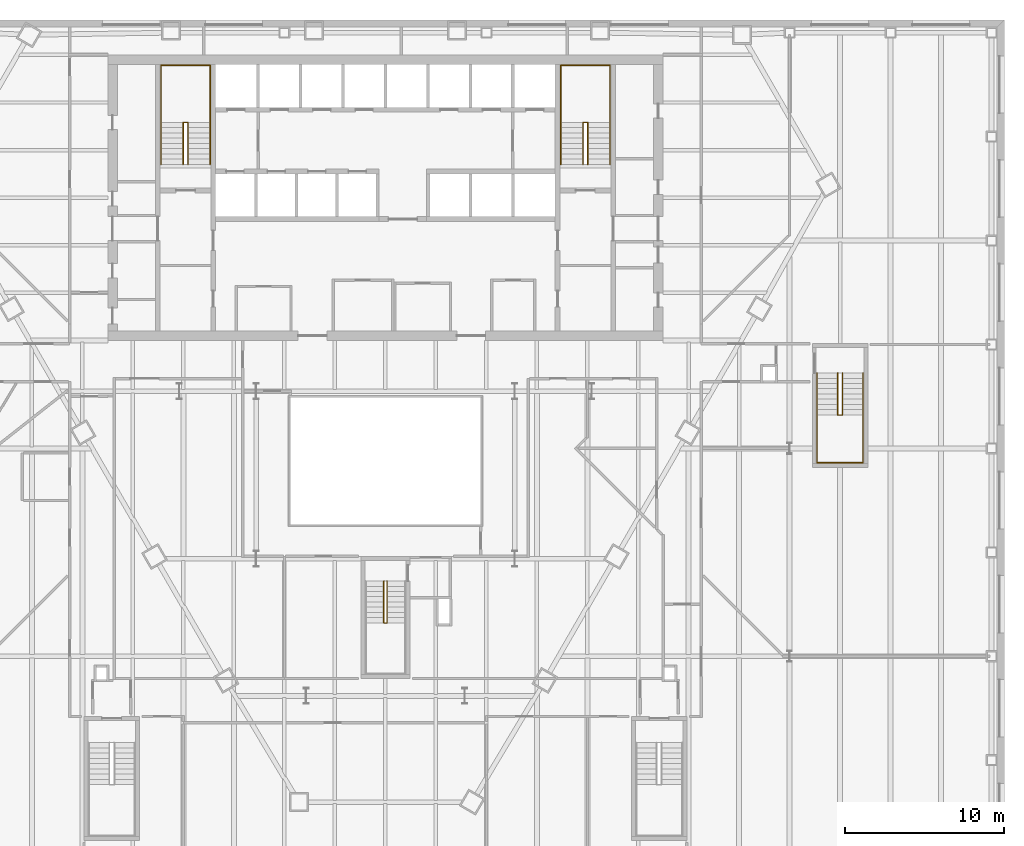
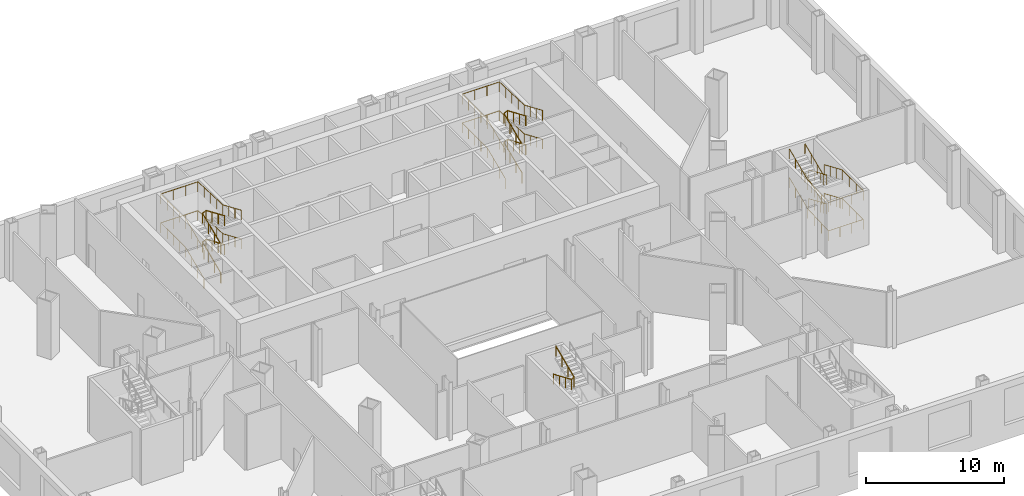
# One storey, part 21 of 21: 13 railings.
"""IFC4 building model written with IfcOpenShell, lengths in metres."""

from ifc_helpers import new_model, si_unit, direction, frame, origin, origin_2d, place, context, subcontext, project, spatial, circle, extrude, material, type_object, element, save


model = new_model("IFC4")

# Units and contexts
model_context = context("Model", 3, precision=1e-05, world=origin(), true_north=direction((0.0, 1.0)))
body_context = subcontext(model_context, "Body", "Model", "MODEL_VIEW")
ifc_project = project(units=[si_unit("LENGTHUNIT", "METRE"), si_unit("AREAUNIT", "SQUARE_METRE"), si_unit("VOLUMEUNIT", "CUBIC_METRE"), si_unit("PLANEANGLEUNIT", "RADIAN"), si_unit("MASSUNIT", "GRAM", prefix="KILO")], contexts=[model_context])

# Site, building, storey
site_placement = place(None, origin())
site = spatial("IfcSite", under=ifc_project, at=site_placement, CompositionType="ELEMENT")
building_placement = place(site_placement, origin())
building = spatial("IfcBuilding", under=site, at=building_placement, Name="Njiva Tower", CompositionType="ELEMENT")
storey_placement = place(building_placement, frame((0.0, 0.0, 13.5)))
storey = spatial("IfcBuildingStorey", under=building, at=storey_placement, Name="L02", CompositionType="ELEMENT", Elevation=13.5)

# Railings
ifc_material = material(Name="Stainless steel", Category="steel")
railing_type = type_object("IfcRailingType", Name="RL1 Stair handrail 900", PredefinedType="HANDRAIL", material=ifc_material)
railing_1_placement = place(storey_placement, frame((-14.15, 11.1, 0.1417)))
element("IfcRailing", 1, at=railing_1_placement, inside=storey, type_object=railing_type, Name="Stair A handrail", PredefinedType="HANDRAIL", context=body_context, shape_type="SweptSolid", body=[
    extrude(circle(Radius=0.024, at=origin_2d()), frame((0.0, 0.0, 0.876), z_axis=(0.0, 0.918909016762, 0.394469541173), x_axis=(-1.0, 0.0, 0.0)), (0.0, 0.0, 1.0), 2.873),
    extrude(circle(Radius=0.024, at=origin_2d()), frame((0.0, 2.64, 2.0093), z_axis=(0.0, 1.0, 0.0), x_axis=(-1.0, 0.0, 0.0)), (0.0, 0.0, 1.0), 3.61),
    extrude(circle(Radius=0.024, at=origin_2d()), frame((0.0, 6.25, 2.0093), z_axis=(1.0, 0.0, 0.0), x_axis=(0.0, 1.0, 0.0)), (0.0, 0.0, 1.0), 3.1),
    extrude(circle(Radius=0.024, at=origin_2d()), frame((3.1, 6.25, 2.0093), z_axis=(0.0, -0.99923052625, 0.039221874119), x_axis=(1.0, 0.0, 0.0)), (0.0, 0.0, 1.0), 3.6128),
    extrude(circle(Radius=0.024, at=origin_2d()), frame((3.1, 2.64, 2.151), z_axis=(0.0, -0.918909016762, 0.394469541173), x_axis=(1.0, 0.0, 0.0)), (0.0, 0.0, 1.0), 2.873),
    extrude(circle(Radius=0.021, at=origin_2d()), origin(), (0.0, 0.0, 1.0), 0.852),
    extrude(circle(Radius=0.021, at=origin_2d()), frame((0.0, 0.88, 0.3778)), (0.0, 0.0, 1.0), 0.852),
    extrude(circle(Radius=0.021, at=origin_2d()), frame((0.0, 1.76, 0.7555)), (0.0, 0.0, 1.0), 0.852),
    extrude(circle(Radius=0.021, at=origin_2d()), frame((0.0, 2.64, 1.1333)), (0.0, 0.0, 1.0), 0.852),
    extrude(circle(Radius=0.021, at=origin_2d()), frame((0.0, 3.5425, 1.1333)), (0.0, 0.0, 1.0), 0.852),
    extrude(circle(Radius=0.021, at=origin_2d()), frame((0.0, 4.445, 1.1333)), (0.0, 0.0, 1.0), 0.852),
    extrude(circle(Radius=0.021, at=origin_2d()), frame((0.0, 5.3475, 1.1333)), (0.0, 0.0, 1.0), 0.852),
    extrude(circle(Radius=0.021, at=origin_2d()), frame((0.0, 6.25, 1.1333)), (0.0, 0.0, 1.0), 0.852),
    extrude(circle(Radius=0.021, at=origin_2d()), frame((1.0333, 6.25, 1.1333)), (0.0, 0.0, 1.0), 0.852),
    extrude(circle(Radius=0.021, at=origin_2d()), frame((2.0667, 6.25, 1.1333)), (0.0, 0.0, 1.0), 0.852),
    extrude(circle(Radius=0.021, at=origin_2d()), frame((3.1, 6.25, 1.1333)), (0.0, 0.0, 1.0), 0.852),
    extrude(circle(Radius=0.021, at=origin_2d()), frame((3.1, 5.3475, 1.1687)), (0.0, 0.0, 1.0), 0.852),
    extrude(circle(Radius=0.021, at=origin_2d()), frame((3.1, 4.445, 1.2042)), (0.0, 0.0, 1.0), 0.852),
    extrude(circle(Radius=0.021, at=origin_2d()), frame((3.1, 3.5425, 1.2396)), (0.0, 0.0, 1.0), 0.852),
    extrude(circle(Radius=0.021, at=origin_2d()), frame((3.1, 2.64, 1.275)), (0.0, 0.0, 1.0), 0.852),
    extrude(circle(Radius=0.021, at=origin_2d()), frame((3.1, 1.76, 1.6528)), (0.0, 0.0, 1.0), 0.852),
    extrude(circle(Radius=0.021, at=origin_2d()), frame((3.1, 0.88, 2.0305)), (0.0, 0.0, 1.0), 0.852),
    extrude(circle(Radius=0.021, at=origin_2d()), frame((3.1, 0.0, 2.4083)), (0.0, 0.0, 1.0), 0.852),
])
railing_2_placement = place(storey_placement, frame((-12.75, 11.1, 0.1417)))
element("IfcRailing", 2, at=railing_2_placement, inside=storey, type_object=railing_type, Name="Stair A handrail", PredefinedType="HANDRAIL", context=body_context, shape_type="SweptSolid", body=[
    extrude(circle(Radius=0.024, at=origin_2d()), frame((0.0, 0.0, 0.876), z_axis=(0.0, 0.918909016762, 0.394469541173), x_axis=(-1.0, 0.0, 0.0)), (0.0, 0.0, 1.0), 2.873),
    extrude(circle(Radius=0.024, at=origin_2d()), frame((0.0, 2.64, 2.0093), z_axis=(0.904209850415, 0.0, 0.427088452679), x_axis=(0.0, 1.0, 0.0)), (0.0, 0.0, 1.0), 0.3318),
    extrude(circle(Radius=0.024, at=origin_2d()), frame((0.3, 2.64, 2.151), z_axis=(0.0, -0.918909016762, 0.394469541173), x_axis=(1.0, 0.0, 0.0)), (0.0, 0.0, 1.0), 2.873),
    extrude(circle(Radius=0.021, at=origin_2d()), origin(), (0.0, 0.0, 1.0), 0.852),
    extrude(circle(Radius=0.021, at=origin_2d()), frame((0.0, 0.88, 0.3778)), (0.0, 0.0, 1.0), 0.852),
    extrude(circle(Radius=0.021, at=origin_2d()), frame((0.0, 1.76, 0.7555)), (0.0, 0.0, 1.0), 0.852),
    extrude(circle(Radius=0.021, at=origin_2d()), frame((0.0, 2.64, 1.1333)), (0.0, 0.0, 1.0), 0.852),
    extrude(circle(Radius=0.021, at=origin_2d()), frame((0.3, 2.64, 1.275)), (0.0, 0.0, 1.0), 0.852),
    extrude(circle(Radius=0.021, at=origin_2d()), frame((0.3, 1.76, 1.6528)), (0.0, 0.0, 1.0), 0.852),
    extrude(circle(Radius=0.021, at=origin_2d()), frame((0.3, 0.88, 2.0305)), (0.0, 0.0, 1.0), 0.852),
    extrude(circle(Radius=0.021, at=origin_2d()), frame((0.3, 0.0, 2.4083)), (0.0, 0.0, 1.0), 0.852),
])
railing_3_placement = place(storey_placement, frame((-14.15, 11.1, 2.6917)))
element("IfcRailing", 3, at=railing_3_placement, inside=storey, type_object=railing_type, Name="Stair A handrail", PredefinedType="HANDRAIL", context=body_context, shape_type="SweptSolid", body=[
    extrude(circle(Radius=0.024, at=origin_2d()), frame((0.0, 0.0, 0.876), z_axis=(0.0, 0.918909016762, 0.394469541173), x_axis=(-1.0, 0.0, 0.0)), (0.0, 0.0, 1.0), 2.873),
    extrude(circle(Radius=0.024, at=origin_2d()), frame((0.0, 2.64, 2.0093), z_axis=(0.0, 1.0, 0.0), x_axis=(-1.0, 0.0, 0.0)), (0.0, 0.0, 1.0), 3.61),
    extrude(circle(Radius=0.024, at=origin_2d()), frame((0.0, 6.25, 2.0093), z_axis=(1.0, 0.0, 0.0), x_axis=(0.0, 1.0, 0.0)), (0.0, 0.0, 1.0), 3.1),
    extrude(circle(Radius=0.024, at=origin_2d()), frame((3.1, 6.25, 2.0093), z_axis=(0.0, -0.99923052625, 0.039221874119), x_axis=(1.0, 0.0, 0.0)), (0.0, 0.0, 1.0), 3.6128),
    extrude(circle(Radius=0.024, at=origin_2d()), frame((3.1, 2.64, 2.151), z_axis=(0.0, -0.918909016762, 0.394469541173), x_axis=(1.0, 0.0, 0.0)), (0.0, 0.0, 1.0), 2.873),
    extrude(circle(Radius=0.021, at=origin_2d()), origin(), (0.0, 0.0, 1.0), 0.852),
    extrude(circle(Radius=0.021, at=origin_2d()), frame((0.0, 0.88, 0.3778)), (0.0, 0.0, 1.0), 0.852),
    extrude(circle(Radius=0.021, at=origin_2d()), frame((0.0, 1.76, 0.7555)), (0.0, 0.0, 1.0), 0.852),
    extrude(circle(Radius=0.021, at=origin_2d()), frame((0.0, 2.64, 1.1333)), (0.0, 0.0, 1.0), 0.852),
    extrude(circle(Radius=0.021, at=origin_2d()), frame((0.0, 3.5425, 1.1333)), (0.0, 0.0, 1.0), 0.852),
    extrude(circle(Radius=0.021, at=origin_2d()), frame((0.0, 4.445, 1.1333)), (0.0, 0.0, 1.0), 0.852),
    extrude(circle(Radius=0.021, at=origin_2d()), frame((0.0, 5.3475, 1.1333)), (0.0, 0.0, 1.0), 0.852),
    extrude(circle(Radius=0.021, at=origin_2d()), frame((0.0, 6.25, 1.1333)), (0.0, 0.0, 1.0), 0.852),
    extrude(circle(Radius=0.021, at=origin_2d()), frame((1.0333, 6.25, 1.1333)), (0.0, 0.0, 1.0), 0.852),
    extrude(circle(Radius=0.021, at=origin_2d()), frame((2.0667, 6.25, 1.1333)), (0.0, 0.0, 1.0), 0.852),
    extrude(circle(Radius=0.021, at=origin_2d()), frame((3.1, 6.25, 1.1333)), (0.0, 0.0, 1.0), 0.852),
    extrude(circle(Radius=0.021, at=origin_2d()), frame((3.1, 5.3475, 1.1687)), (0.0, 0.0, 1.0), 0.852),
    extrude(circle(Radius=0.021, at=origin_2d()), frame((3.1, 4.445, 1.2041)), (0.0, 0.0, 1.0), 0.852),
    extrude(circle(Radius=0.021, at=origin_2d()), frame((3.1, 3.5425, 1.2396)), (0.0, 0.0, 1.0), 0.852),
    extrude(circle(Radius=0.021, at=origin_2d()), frame((3.1, 2.64, 1.275)), (0.0, 0.0, 1.0), 0.852),
    extrude(circle(Radius=0.021, at=origin_2d()), frame((3.1, 1.76, 1.6528)), (0.0, 0.0, 1.0), 0.852),
    extrude(circle(Radius=0.021, at=origin_2d()), frame((3.1, 0.88, 2.0305)), (0.0, 0.0, 1.0), 0.852),
    extrude(circle(Radius=0.021, at=origin_2d()), frame((3.1, 0.0, 2.4083)), (0.0, 0.0, 1.0), 0.852),
])
railing_4_placement = place(storey_placement, frame((-12.75, 11.1, 2.6917)))
element("IfcRailing", 4, at=railing_4_placement, inside=storey, type_object=railing_type, Name="Stair A handrail", PredefinedType="HANDRAIL", context=body_context, shape_type="SweptSolid", body=[
    extrude(circle(Radius=0.024, at=origin_2d()), frame((0.0, 0.0, 0.876), z_axis=(0.0, 0.918909016762, 0.394469541173), x_axis=(-1.0, 0.0, 0.0)), (0.0, 0.0, 1.0), 2.873),
    extrude(circle(Radius=0.024, at=origin_2d()), frame((0.0, 2.64, 2.0093), z_axis=(0.904209850415, 0.0, 0.427088452679), x_axis=(0.0, 1.0, 0.0)), (0.0, 0.0, 1.0), 0.3318),
    extrude(circle(Radius=0.024, at=origin_2d()), frame((0.3, 2.64, 2.151), z_axis=(0.0, -0.918909016762, 0.394469541173), x_axis=(1.0, 0.0, 0.0)), (0.0, 0.0, 1.0), 2.873),
    extrude(circle(Radius=0.021, at=origin_2d()), origin(), (0.0, 0.0, 1.0), 0.852),
    extrude(circle(Radius=0.021, at=origin_2d()), frame((0.0, 0.88, 0.3778)), (0.0, 0.0, 1.0), 0.852),
    extrude(circle(Radius=0.021, at=origin_2d()), frame((0.0, 1.76, 0.7555)), (0.0, 0.0, 1.0), 0.852),
    extrude(circle(Radius=0.021, at=origin_2d()), frame((0.0, 2.64, 1.1333)), (0.0, 0.0, 1.0), 0.852),
    extrude(circle(Radius=0.021, at=origin_2d()), frame((0.3, 2.64, 1.275)), (0.0, 0.0, 1.0), 0.852),
    extrude(circle(Radius=0.021, at=origin_2d()), frame((0.3, 1.76, 1.6528)), (0.0, 0.0, 1.0), 0.852),
    extrude(circle(Radius=0.021, at=origin_2d()), frame((0.3, 0.88, 2.0305)), (0.0, 0.0, 1.0), 0.852),
    extrude(circle(Radius=0.021, at=origin_2d()), frame((0.3, 0.0, 2.4083)), (0.0, 0.0, 1.0), 0.852),
])
railing_5_placement = place(storey_placement, frame((11.05, 11.1, 0.1417)))
element("IfcRailing", 5, at=railing_5_placement, inside=storey, type_object=railing_type, Name="Stair B handrail", PredefinedType="HANDRAIL", context=body_context, shape_type="SweptSolid", body=[
    extrude(circle(Radius=0.024, at=origin_2d()), frame((0.0, 0.0, 0.876), z_axis=(0.0, 0.918909016762, 0.394469541173), x_axis=(-1.0, 0.0, 0.0)), (0.0, 0.0, 1.0), 2.873),
    extrude(circle(Radius=0.024, at=origin_2d()), frame((0.0, 2.64, 2.0093), z_axis=(0.0, 1.0, 0.0), x_axis=(-1.0, 0.0, 0.0)), (0.0, 0.0, 1.0), 3.61),
    extrude(circle(Radius=0.024, at=origin_2d()), frame((0.0, 6.25, 2.0093), z_axis=(1.0, 0.0, 0.0), x_axis=(0.0, 1.0, 0.0)), (0.0, 0.0, 1.0), 3.1),
    extrude(circle(Radius=0.024, at=origin_2d()), frame((3.1, 6.25, 2.0093), z_axis=(0.0, -0.99923052625, 0.039221874119), x_axis=(1.0, 0.0, 0.0)), (0.0, 0.0, 1.0), 3.6128),
    extrude(circle(Radius=0.024, at=origin_2d()), frame((3.1, 2.64, 2.151), z_axis=(0.0, -0.918909016762, 0.394469541173), x_axis=(1.0, 0.0, 0.0)), (0.0, 0.0, 1.0), 2.873),
    extrude(circle(Radius=0.021, at=origin_2d()), origin(), (0.0, 0.0, 1.0), 0.852),
    extrude(circle(Radius=0.021, at=origin_2d()), frame((0.0, 0.88, 0.3778)), (0.0, 0.0, 1.0), 0.852),
    extrude(circle(Radius=0.021, at=origin_2d()), frame((0.0, 1.76, 0.7555)), (0.0, 0.0, 1.0), 0.852),
    extrude(circle(Radius=0.021, at=origin_2d()), frame((0.0, 2.64, 1.1333)), (0.0, 0.0, 1.0), 0.852),
    extrude(circle(Radius=0.021, at=origin_2d()), frame((0.0, 3.5425, 1.1333)), (0.0, 0.0, 1.0), 0.852),
    extrude(circle(Radius=0.021, at=origin_2d()), frame((0.0, 4.445, 1.1333)), (0.0, 0.0, 1.0), 0.852),
    extrude(circle(Radius=0.021, at=origin_2d()), frame((0.0, 5.3475, 1.1333)), (0.0, 0.0, 1.0), 0.852),
    extrude(circle(Radius=0.021, at=origin_2d()), frame((0.0, 6.25, 1.1333)), (0.0, 0.0, 1.0), 0.852),
    extrude(circle(Radius=0.021, at=origin_2d()), frame((1.0333, 6.25, 1.1333)), (0.0, 0.0, 1.0), 0.852),
    extrude(circle(Radius=0.021, at=origin_2d()), frame((2.0667, 6.25, 1.1333)), (0.0, 0.0, 1.0), 0.852),
    extrude(circle(Radius=0.021, at=origin_2d()), frame((3.1, 6.25, 1.1333)), (0.0, 0.0, 1.0), 0.852),
    extrude(circle(Radius=0.021, at=origin_2d()), frame((3.1, 5.3475, 1.1687)), (0.0, 0.0, 1.0), 0.852),
    extrude(circle(Radius=0.021, at=origin_2d()), frame((3.1, 4.445, 1.2042)), (0.0, 0.0, 1.0), 0.852),
    extrude(circle(Radius=0.021, at=origin_2d()), frame((3.1, 3.5425, 1.2396)), (0.0, 0.0, 1.0), 0.852),
    extrude(circle(Radius=0.021, at=origin_2d()), frame((3.1, 2.64, 1.275)), (0.0, 0.0, 1.0), 0.852),
    extrude(circle(Radius=0.021, at=origin_2d()), frame((3.1, 1.76, 1.6528)), (0.0, 0.0, 1.0), 0.852),
    extrude(circle(Radius=0.021, at=origin_2d()), frame((3.1, 0.88, 2.0305)), (0.0, 0.0, 1.0), 0.852),
    extrude(circle(Radius=0.021, at=origin_2d()), frame((3.1, 0.0, 2.4083)), (0.0, 0.0, 1.0), 0.852),
])
railing_6_placement = place(storey_placement, frame((12.45, 11.1, 0.1417)))
element("IfcRailing", 6, at=railing_6_placement, inside=storey, type_object=railing_type, Name="Stair B handrail", PredefinedType="HANDRAIL", context=body_context, shape_type="SweptSolid", body=[
    extrude(circle(Radius=0.024, at=origin_2d()), frame((0.0, 0.0, 0.876), z_axis=(0.0, 0.918909016762, 0.394469541173), x_axis=(-1.0, 0.0, 0.0)), (0.0, 0.0, 1.0), 2.873),
    extrude(circle(Radius=0.024, at=origin_2d()), frame((0.0, 2.64, 2.0093), z_axis=(0.904209850415, 0.0, 0.427088452679), x_axis=(0.0, 1.0, 0.0)), (0.0, 0.0, 1.0), 0.3318),
    extrude(circle(Radius=0.024, at=origin_2d()), frame((0.3, 2.64, 2.151), z_axis=(0.0, -0.918909016762, 0.394469541173), x_axis=(1.0, 0.0, 0.0)), (0.0, 0.0, 1.0), 2.873),
    extrude(circle(Radius=0.021, at=origin_2d()), origin(), (0.0, 0.0, 1.0), 0.852),
    extrude(circle(Radius=0.021, at=origin_2d()), frame((0.0, 0.88, 0.3778)), (0.0, 0.0, 1.0), 0.852),
    extrude(circle(Radius=0.021, at=origin_2d()), frame((0.0, 1.76, 0.7555)), (0.0, 0.0, 1.0), 0.852),
    extrude(circle(Radius=0.021, at=origin_2d()), frame((0.0, 2.64, 1.1333)), (0.0, 0.0, 1.0), 0.852),
    extrude(circle(Radius=0.021, at=origin_2d()), frame((0.3, 2.64, 1.275)), (0.0, 0.0, 1.0), 0.852),
    extrude(circle(Radius=0.021, at=origin_2d()), frame((0.3, 1.76, 1.6528)), (0.0, 0.0, 1.0), 0.852),
    extrude(circle(Radius=0.021, at=origin_2d()), frame((0.3, 0.88, 2.0305)), (0.0, 0.0, 1.0), 0.852),
    extrude(circle(Radius=0.021, at=origin_2d()), frame((0.3, 0.0, 2.4083)), (0.0, 0.0, 1.0), 0.852),
])
railing_7_placement = place(storey_placement, frame((11.05, 11.1, 2.6917)))
element("IfcRailing", 7, at=railing_7_placement, inside=storey, type_object=railing_type, Name="Stair B handrail", PredefinedType="HANDRAIL", context=body_context, shape_type="SweptSolid", body=[
    extrude(circle(Radius=0.024, at=origin_2d()), frame((0.0, 0.0, 0.876), z_axis=(0.0, 0.918909016762, 0.394469541173), x_axis=(-1.0, 0.0, 0.0)), (0.0, 0.0, 1.0), 2.873),
    extrude(circle(Radius=0.024, at=origin_2d()), frame((0.0, 2.64, 2.0093), z_axis=(0.0, 1.0, 0.0), x_axis=(-1.0, 0.0, 0.0)), (0.0, 0.0, 1.0), 3.61),
    extrude(circle(Radius=0.024, at=origin_2d()), frame((0.0, 6.25, 2.0093), z_axis=(1.0, 0.0, 0.0), x_axis=(0.0, 1.0, 0.0)), (0.0, 0.0, 1.0), 3.1),
    extrude(circle(Radius=0.024, at=origin_2d()), frame((3.1, 6.25, 2.0093), z_axis=(0.0, -0.99923052625, 0.039221874119), x_axis=(1.0, 0.0, 0.0)), (0.0, 0.0, 1.0), 3.6128),
    extrude(circle(Radius=0.024, at=origin_2d()), frame((3.1, 2.64, 2.151), z_axis=(0.0, -0.918909016762, 0.394469541173), x_axis=(1.0, 0.0, 0.0)), (0.0, 0.0, 1.0), 2.873),
    extrude(circle(Radius=0.021, at=origin_2d()), origin(), (0.0, 0.0, 1.0), 0.852),
    extrude(circle(Radius=0.021, at=origin_2d()), frame((0.0, 0.88, 0.3778)), (0.0, 0.0, 1.0), 0.852),
    extrude(circle(Radius=0.021, at=origin_2d()), frame((0.0, 1.76, 0.7555)), (0.0, 0.0, 1.0), 0.852),
    extrude(circle(Radius=0.021, at=origin_2d()), frame((0.0, 2.64, 1.1333)), (0.0, 0.0, 1.0), 0.852),
    extrude(circle(Radius=0.021, at=origin_2d()), frame((0.0, 3.5425, 1.1333)), (0.0, 0.0, 1.0), 0.852),
    extrude(circle(Radius=0.021, at=origin_2d()), frame((0.0, 4.445, 1.1333)), (0.0, 0.0, 1.0), 0.852),
    extrude(circle(Radius=0.021, at=origin_2d()), frame((0.0, 5.3475, 1.1333)), (0.0, 0.0, 1.0), 0.852),
    extrude(circle(Radius=0.021, at=origin_2d()), frame((0.0, 6.25, 1.1333)), (0.0, 0.0, 1.0), 0.852),
    extrude(circle(Radius=0.021, at=origin_2d()), frame((1.0333, 6.25, 1.1333)), (0.0, 0.0, 1.0), 0.852),
    extrude(circle(Radius=0.021, at=origin_2d()), frame((2.0667, 6.25, 1.1333)), (0.0, 0.0, 1.0), 0.852),
    extrude(circle(Radius=0.021, at=origin_2d()), frame((3.1, 6.25, 1.1333)), (0.0, 0.0, 1.0), 0.852),
    extrude(circle(Radius=0.021, at=origin_2d()), frame((3.1, 5.3475, 1.1687)), (0.0, 0.0, 1.0), 0.852),
    extrude(circle(Radius=0.021, at=origin_2d()), frame((3.1, 4.445, 1.2041)), (0.0, 0.0, 1.0), 0.852),
    extrude(circle(Radius=0.021, at=origin_2d()), frame((3.1, 3.5425, 1.2396)), (0.0, 0.0, 1.0), 0.852),
    extrude(circle(Radius=0.021, at=origin_2d()), frame((3.1, 2.64, 1.275)), (0.0, 0.0, 1.0), 0.852),
    extrude(circle(Radius=0.021, at=origin_2d()), frame((3.1, 1.76, 1.6528)), (0.0, 0.0, 1.0), 0.852),
    extrude(circle(Radius=0.021, at=origin_2d()), frame((3.1, 0.88, 2.0305)), (0.0, 0.0, 1.0), 0.852),
    extrude(circle(Radius=0.021, at=origin_2d()), frame((3.1, 0.0, 2.4083)), (0.0, 0.0, 1.0), 0.852),
])
railing_8_placement = place(storey_placement, frame((12.45, 11.1, 2.6917)))
element("IfcRailing", 8, at=railing_8_placement, inside=storey, type_object=railing_type, Name="Stair B handrail", PredefinedType="HANDRAIL", context=body_context, shape_type="SweptSolid", body=[
    extrude(circle(Radius=0.024, at=origin_2d()), frame((0.0, 0.0, 0.876), z_axis=(0.0, 0.918909016762, 0.394469541173), x_axis=(-1.0, 0.0, 0.0)), (0.0, 0.0, 1.0), 2.873),
    extrude(circle(Radius=0.024, at=origin_2d()), frame((0.0, 2.64, 2.0093), z_axis=(0.904209850415, 0.0, 0.427088452679), x_axis=(0.0, 1.0, 0.0)), (0.0, 0.0, 1.0), 0.3318),
    extrude(circle(Radius=0.024, at=origin_2d()), frame((0.3, 2.64, 2.151), z_axis=(0.0, -0.918909016762, 0.394469541173), x_axis=(1.0, 0.0, 0.0)), (0.0, 0.0, 1.0), 2.873),
    extrude(circle(Radius=0.021, at=origin_2d()), origin(), (0.0, 0.0, 1.0), 0.852),
    extrude(circle(Radius=0.021, at=origin_2d()), frame((0.0, 0.88, 0.3778)), (0.0, 0.0, 1.0), 0.852),
    extrude(circle(Radius=0.021, at=origin_2d()), frame((0.0, 1.76, 0.7555)), (0.0, 0.0, 1.0), 0.852),
    extrude(circle(Radius=0.021, at=origin_2d()), frame((0.0, 2.64, 1.1333)), (0.0, 0.0, 1.0), 0.852),
    extrude(circle(Radius=0.021, at=origin_2d()), frame((0.3, 2.64, 1.275)), (0.0, 0.0, 1.0), 0.852),
    extrude(circle(Radius=0.021, at=origin_2d()), frame((0.3, 1.76, 1.6528)), (0.0, 0.0, 1.0), 0.852),
    extrude(circle(Radius=0.021, at=origin_2d()), frame((0.3, 0.88, 2.0305)), (0.0, 0.0, 1.0), 0.852),
    extrude(circle(Radius=0.021, at=origin_2d()), frame((0.3, 0.0, 2.4083)), (0.0, 0.0, 1.0), 0.852),
])
railing_9_placement = place(storey_placement, frame((-0.1, -15.16, 2.6917)))
element("IfcRailing", 9, at=railing_9_placement, inside=storey, type_object=railing_type, Name="Stair C handrail", PredefinedType="HANDRAIL", context=body_context, shape_type="SweptSolid", body=[
    extrude(circle(Radius=0.024, at=origin_2d()), frame((0.0, 0.0, 0.876), z_axis=(0.0, -0.918909016762, 0.394469541173), x_axis=(1.0, 0.0, 0.0)), (0.0, 0.0, 1.0), 2.873),
    extrude(circle(Radius=0.024, at=origin_2d()), frame((0.0, -2.64, 2.0093), z_axis=(0.815960331218, 0.0, 0.578107894668), x_axis=(0.0, 1.0, 0.0)), (0.0, 0.0, 1.0), 0.2451),
    extrude(circle(Radius=0.024, at=origin_2d()), frame((0.2, -2.64, 2.151), z_axis=(0.0, 0.918909016762, 0.394469541173), x_axis=(-1.0, 0.0, 0.0)), (0.0, 0.0, 1.0), 2.873),
    extrude(circle(Radius=0.021, at=origin_2d()), origin(), (0.0, 0.0, 1.0), 0.852),
    extrude(circle(Radius=0.021, at=origin_2d()), frame((0.0, -0.88, 0.3778)), (0.0, 0.0, 1.0), 0.852),
    extrude(circle(Radius=0.021, at=origin_2d()), frame((0.0, -1.76, 0.7555)), (0.0, 0.0, 1.0), 0.852),
    extrude(circle(Radius=0.021, at=origin_2d()), frame((0.0, -2.64, 1.1333)), (0.0, 0.0, 1.0), 0.852),
    extrude(circle(Radius=0.021, at=origin_2d()), frame((0.2, -2.64, 1.275)), (0.0, 0.0, 1.0), 0.852),
    extrude(circle(Radius=0.021, at=origin_2d()), frame((0.2, -1.76, 1.6528)), (0.0, 0.0, 1.0), 0.852),
    extrude(circle(Radius=0.021, at=origin_2d()), frame((0.2, -0.88, 2.0305)), (0.0, 0.0, 1.0), 0.852),
    extrude(circle(Radius=0.021, at=origin_2d()), frame((0.2, 0.0, 2.4083)), (0.0, 0.0, 1.0), 0.852),
])
railing_10_placement = place(storey_placement, frame((30.1, -2.05, 0.1417)))
element("IfcRailing", 10, at=railing_10_placement, inside=storey, type_object=railing_type, Name="Stair G handrail", PredefinedType="HANDRAIL", context=body_context, shape_type="SweptSolid", body=[
    extrude(circle(Radius=0.024, at=origin_2d()), frame((0.0, 0.0, 0.876), z_axis=(0.0, -0.918909016762, 0.394469541173), x_axis=(1.0, 0.0, 0.0)), (0.0, 0.0, 1.0), 2.873),
    extrude(circle(Radius=0.024, at=origin_2d()), frame((0.0, -2.64, 2.0093), z_axis=(0.0, -1.0, 0.0), x_axis=(1.0, 0.0, 0.0)), (0.0, 0.0, 1.0), 3.01),
    extrude(circle(Radius=0.024, at=origin_2d()), frame((0.0, -5.65, 2.0093), z_axis=(-1.0, 0.0, 0.0), x_axis=(0.0, -1.0, 0.0)), (0.0, 0.0, 1.0), 2.9),
    extrude(circle(Radius=0.024, at=origin_2d()), frame((-2.9, -5.65, 2.0093), z_axis=(0.0, 0.998893744133, 0.047024333403), x_axis=(-1.0, 0.0, 0.0)), (0.0, 0.0, 1.0), 3.0133),
    extrude(circle(Radius=0.024, at=origin_2d()), frame((-2.9, -2.64, 2.151), z_axis=(0.0, 0.918909016762, 0.394469541173), x_axis=(-1.0, 0.0, 0.0)), (0.0, 0.0, 1.0), 2.873),
    extrude(circle(Radius=0.021, at=origin_2d()), origin(), (0.0, 0.0, 1.0), 0.852),
    extrude(circle(Radius=0.021, at=origin_2d()), frame((0.0, -0.88, 0.3778)), (0.0, 0.0, 1.0), 0.852),
    extrude(circle(Radius=0.021, at=origin_2d()), frame((0.0, -1.76, 0.7555)), (0.0, 0.0, 1.0), 0.852),
    extrude(circle(Radius=0.021, at=origin_2d()), frame((0.0, -2.64, 1.1333)), (0.0, 0.0, 1.0), 0.852),
    extrude(circle(Radius=0.021, at=origin_2d()), frame((0.0, -3.6433, 1.1333)), (0.0, 0.0, 1.0), 0.852),
    extrude(circle(Radius=0.021, at=origin_2d()), frame((0.0, -4.6467, 1.1333)), (0.0, 0.0, 1.0), 0.852),
    extrude(circle(Radius=0.021, at=origin_2d()), frame((0.0, -5.65, 1.1333)), (0.0, 0.0, 1.0), 0.852),
    extrude(circle(Radius=0.021, at=origin_2d()), frame((-0.9667, -5.65, 1.1333)), (0.0, 0.0, 1.0), 0.852),
    extrude(circle(Radius=0.021, at=origin_2d()), frame((-1.9333, -5.65, 1.1333)), (0.0, 0.0, 1.0), 0.852),
    extrude(circle(Radius=0.021, at=origin_2d()), frame((-2.9, -5.65, 1.1333)), (0.0, 0.0, 1.0), 0.852),
    extrude(circle(Radius=0.021, at=origin_2d()), frame((-2.9, -4.6467, 1.1805)), (0.0, 0.0, 1.0), 0.852),
    extrude(circle(Radius=0.021, at=origin_2d()), frame((-2.9, -3.6433, 1.2278)), (0.0, 0.0, 1.0), 0.852),
    extrude(circle(Radius=0.021, at=origin_2d()), frame((-2.9, -2.64, 1.275)), (0.0, 0.0, 1.0), 0.852),
    extrude(circle(Radius=0.021, at=origin_2d()), frame((-2.9, -1.76, 1.6528)), (0.0, 0.0, 1.0), 0.852),
    extrude(circle(Radius=0.021, at=origin_2d()), frame((-2.9, -0.88, 2.0305)), (0.0, 0.0, 1.0), 0.852),
    extrude(circle(Radius=0.021, at=origin_2d()), frame((-2.9, 0.0, 2.4083)), (0.0, 0.0, 1.0), 0.852),
])
railing_11_placement = place(storey_placement, frame((28.8, -2.05, 0.1417)))
element("IfcRailing", 11, at=railing_11_placement, inside=storey, type_object=railing_type, Name="Stair G handrail", PredefinedType="HANDRAIL", context=body_context, shape_type="SweptSolid", body=[
    extrude(circle(Radius=0.024, at=origin_2d()), frame((0.0, 0.0, 0.876), z_axis=(0.0, -0.918909016762, 0.394469541173), x_axis=(1.0, 0.0, 0.0)), (0.0, 0.0, 1.0), 2.873),
    extrude(circle(Radius=0.024, at=origin_2d()), frame((0.0, -2.64, 2.0093), z_axis=(-0.904209850415, 0.0, 0.427088452679), x_axis=(0.0, -1.0, 0.0)), (0.0, 0.0, 1.0), 0.3318),
    extrude(circle(Radius=0.024, at=origin_2d()), frame((-0.3, -2.64, 2.151), z_axis=(0.0, 0.918909016762, 0.394469541173), x_axis=(-1.0, 0.0, 0.0)), (0.0, 0.0, 1.0), 2.873),
    extrude(circle(Radius=0.021, at=origin_2d()), origin(), (0.0, 0.0, 1.0), 0.852),
    extrude(circle(Radius=0.021, at=origin_2d()), frame((0.0, -0.88, 0.3778)), (0.0, 0.0, 1.0), 0.852),
    extrude(circle(Radius=0.021, at=origin_2d()), frame((0.0, -1.76, 0.7555)), (0.0, 0.0, 1.0), 0.852),
    extrude(circle(Radius=0.021, at=origin_2d()), frame((0.0, -2.64, 1.1333)), (0.0, 0.0, 1.0), 0.852),
    extrude(circle(Radius=0.021, at=origin_2d()), frame((-0.3, -2.64, 1.275)), (0.0, 0.0, 1.0), 0.852),
    extrude(circle(Radius=0.021, at=origin_2d()), frame((-0.3, -1.76, 1.6528)), (0.0, 0.0, 1.0), 0.852),
    extrude(circle(Radius=0.021, at=origin_2d()), frame((-0.3, -0.88, 2.0305)), (0.0, 0.0, 1.0), 0.852),
    extrude(circle(Radius=0.021, at=origin_2d()), frame((-0.3, 0.0, 2.4083)), (0.0, 0.0, 1.0), 0.852),
])
railing_12_placement = place(storey_placement, frame((30.1, -2.05, 2.6917)))
element("IfcRailing", 12, at=railing_12_placement, inside=storey, type_object=railing_type, Name="Stair G handrail", PredefinedType="HANDRAIL", context=body_context, shape_type="SweptSolid", body=[
    extrude(circle(Radius=0.024, at=origin_2d()), frame((0.0, 0.0, 0.876), z_axis=(0.0, -0.918909016762, 0.394469541173), x_axis=(1.0, 0.0, 0.0)), (0.0, 0.0, 1.0), 2.873),
    extrude(circle(Radius=0.024, at=origin_2d()), frame((0.0, -2.64, 2.0093), z_axis=(0.0, -1.0, 0.0), x_axis=(1.0, 0.0, 0.0)), (0.0, 0.0, 1.0), 3.01),
    extrude(circle(Radius=0.024, at=origin_2d()), frame((0.0, -5.65, 2.0093), z_axis=(-1.0, 0.0, 0.0), x_axis=(0.0, -1.0, 0.0)), (0.0, 0.0, 1.0), 2.9),
    extrude(circle(Radius=0.024, at=origin_2d()), frame((-2.9, -5.65, 2.0093), z_axis=(0.0, 0.998893744133, 0.047024333403), x_axis=(-1.0, 0.0, 0.0)), (0.0, 0.0, 1.0), 3.0133),
    extrude(circle(Radius=0.024, at=origin_2d()), frame((-2.9, -2.64, 2.151), z_axis=(0.0, 0.918909016762, 0.394469541173), x_axis=(-1.0, 0.0, 0.0)), (0.0, 0.0, 1.0), 2.873),
    extrude(circle(Radius=0.021, at=origin_2d()), origin(), (0.0, 0.0, 1.0), 0.852),
    extrude(circle(Radius=0.021, at=origin_2d()), frame((0.0, -0.88, 0.3778)), (0.0, 0.0, 1.0), 0.852),
    extrude(circle(Radius=0.021, at=origin_2d()), frame((0.0, -1.76, 0.7555)), (0.0, 0.0, 1.0), 0.852),
    extrude(circle(Radius=0.021, at=origin_2d()), frame((0.0, -2.64, 1.1333)), (0.0, 0.0, 1.0), 0.852),
    extrude(circle(Radius=0.021, at=origin_2d()), frame((0.0, -3.6433, 1.1333)), (0.0, 0.0, 1.0), 0.852),
    extrude(circle(Radius=0.021, at=origin_2d()), frame((0.0, -4.6467, 1.1333)), (0.0, 0.0, 1.0), 0.852),
    extrude(circle(Radius=0.021, at=origin_2d()), frame((0.0, -5.65, 1.1333)), (0.0, 0.0, 1.0), 0.852),
    extrude(circle(Radius=0.021, at=origin_2d()), frame((-0.9667, -5.65, 1.1333)), (0.0, 0.0, 1.0), 0.852),
    extrude(circle(Radius=0.021, at=origin_2d()), frame((-1.9333, -5.65, 1.1333)), (0.0, 0.0, 1.0), 0.852),
    extrude(circle(Radius=0.021, at=origin_2d()), frame((-2.9, -5.65, 1.1333)), (0.0, 0.0, 1.0), 0.852),
    extrude(circle(Radius=0.021, at=origin_2d()), frame((-2.9, -4.6467, 1.1805)), (0.0, 0.0, 1.0), 0.852),
    extrude(circle(Radius=0.021, at=origin_2d()), frame((-2.9, -3.6433, 1.2278)), (0.0, 0.0, 1.0), 0.852),
    extrude(circle(Radius=0.021, at=origin_2d()), frame((-2.9, -2.64, 1.275)), (0.0, 0.0, 1.0), 0.852),
    extrude(circle(Radius=0.021, at=origin_2d()), frame((-2.9, -1.76, 1.6528)), (0.0, 0.0, 1.0), 0.852),
    extrude(circle(Radius=0.021, at=origin_2d()), frame((-2.9, -0.88, 2.0305)), (0.0, 0.0, 1.0), 0.852),
    extrude(circle(Radius=0.021, at=origin_2d()), frame((-2.9, 0.0, 2.4083)), (0.0, 0.0, 1.0), 0.852),
])
railing_13_placement = place(storey_placement, frame((28.8, -2.05, 2.6917)))
element("IfcRailing", 13, at=railing_13_placement, inside=storey, type_object=railing_type, Name="Stair G handrail", PredefinedType="HANDRAIL", context=body_context, shape_type="SweptSolid", body=[
    extrude(circle(Radius=0.024, at=origin_2d()), frame((0.0, 0.0, 0.876), z_axis=(0.0, -0.918909016762, 0.394469541173), x_axis=(1.0, 0.0, 0.0)), (0.0, 0.0, 1.0), 2.873),
    extrude(circle(Radius=0.024, at=origin_2d()), frame((0.0, -2.64, 2.0093), z_axis=(-0.904209850415, 0.0, 0.427088452679), x_axis=(0.0, -1.0, 0.0)), (0.0, 0.0, 1.0), 0.3318),
    extrude(circle(Radius=0.024, at=origin_2d()), frame((-0.3, -2.64, 2.151), z_axis=(0.0, 0.918909016762, 0.394469541173), x_axis=(-1.0, 0.0, 0.0)), (0.0, 0.0, 1.0), 2.873),
    extrude(circle(Radius=0.021, at=origin_2d()), origin(), (0.0, 0.0, 1.0), 0.852),
    extrude(circle(Radius=0.021, at=origin_2d()), frame((0.0, -0.88, 0.3778)), (0.0, 0.0, 1.0), 0.852),
    extrude(circle(Radius=0.021, at=origin_2d()), frame((0.0, -1.76, 0.7555)), (0.0, 0.0, 1.0), 0.852),
    extrude(circle(Radius=0.021, at=origin_2d()), frame((0.0, -2.64, 1.1333)), (0.0, 0.0, 1.0), 0.852),
    extrude(circle(Radius=0.021, at=origin_2d()), frame((-0.3, -2.64, 1.275)), (0.0, 0.0, 1.0), 0.852),
    extrude(circle(Radius=0.021, at=origin_2d()), frame((-0.3, -1.76, 1.6528)), (0.0, 0.0, 1.0), 0.852),
    extrude(circle(Radius=0.021, at=origin_2d()), frame((-0.3, -0.88, 2.0305)), (0.0, 0.0, 1.0), 0.852),
    extrude(circle(Radius=0.021, at=origin_2d()), frame((-0.3, 0.0, 2.4083)), (0.0, 0.0, 1.0), 0.852),
])

save(model, "model.ifc")
